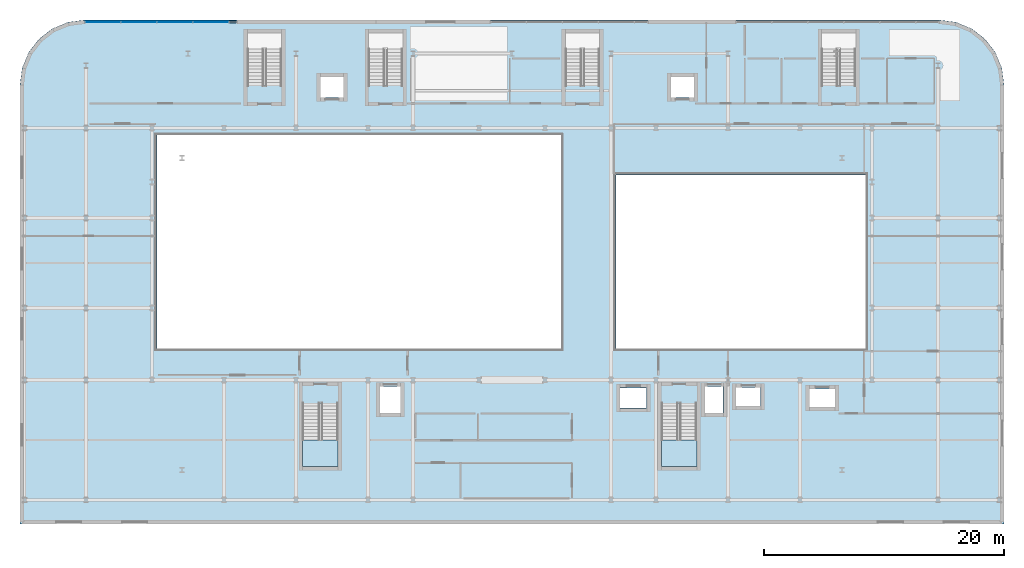
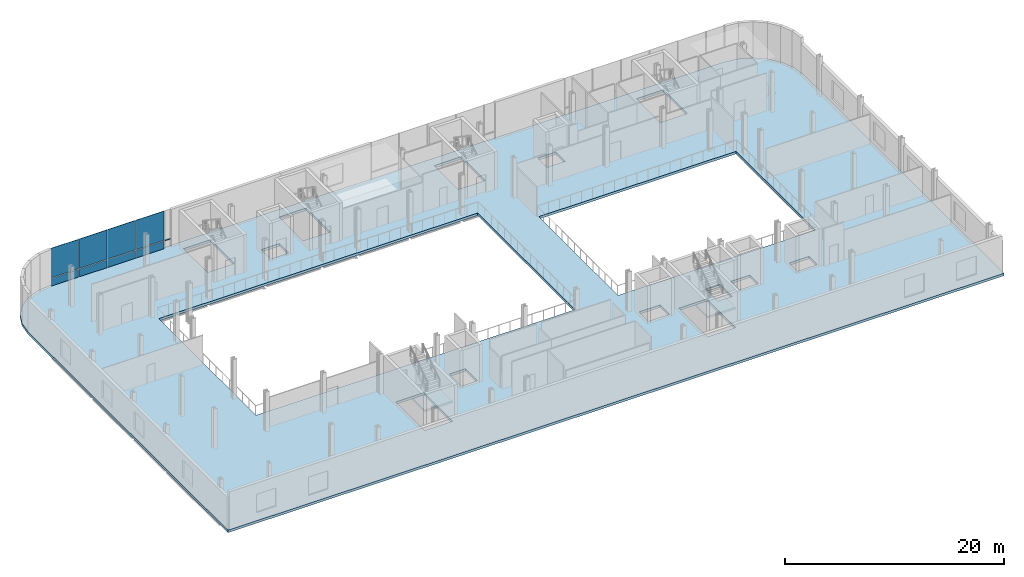
# One storey, part 13 of 25: 8 plates, 3 slabs, 1 member, 3 elements without a shape of their own.
"""IFC4 building model written with IfcOpenShell, lengths in metres."""

from ifc_helpers import new_model, si_unit, direction, frame, origin, origin_2d, place, context, subcontext, project, spatial, polyline, rectangle, hollow_rectangle, outline, extrude, material, layer, layer_set, material_profile, profile_set, type_object, element, aggregate, save


model = new_model("IFC4")

# Units and contexts
model_context = context("Model", 3, precision=1e-05, world=origin(), true_north=direction((0.0, 1.0)))
body_context = subcontext(model_context, "Body", "Model", "MODEL_VIEW")
ifc_project = project(units=[si_unit("LENGTHUNIT", "METRE"), si_unit("AREAUNIT", "SQUARE_METRE"), si_unit("VOLUMEUNIT", "CUBIC_METRE"), si_unit("PLANEANGLEUNIT", "RADIAN"), si_unit("MASSUNIT", "GRAM", prefix="KILO")], contexts=[model_context])

# Site, building, storey
site_placement = place(None, origin())
site = spatial("IfcSite", under=ifc_project, at=site_placement, CompositionType="ELEMENT")
building_placement = place(site_placement, origin())
building = spatial("IfcBuilding", under=site, at=building_placement, Name="Brevholm Reach", CompositionType="ELEMENT")
storey_placement = place(building_placement, frame((0.0, 0.0, 9.0)))
storey = spatial("IfcBuildingStorey", under=building, at=storey_placement, Name="L02", CompositionType="ELEMENT", Elevation=9.0)

# Curtain wall, member, plates
ifc_material_1 = material(Name="Dark Anodised Aluminium 6063-T6 and Solar-Control Glass", Category="aluminium")
ifc_layer_1 = layer(ifc_material_1, 0.1650390625)
ifc_layer_set_1 = layer_set([ifc_layer_1], Name="Dark Anodised Aluminium 6063-T6 and Solar-Control Glass")
curtain_wall_type = type_object("IfcCurtainWallType", Name="CW-03", PredefinedType="NOTDEFINED", material=ifc_layer_set_1)
curtain_wall_placement = place(storey_placement, origin())
curtain_wall = element("IfcCurtainWall", 1, at=curtain_wall_placement, inside=storey, type_object=curtain_wall_type, Name="L02 Curtain Wall CW-03", PredefinedType="NOTDEFINED")
ifc_material_2 = material(Name="Dark Anodised Aluminium 6063-T6", Category="aluminium")
ifc_material_profile = material_profile(ifc_material_2, hollow_rectangle(XDim=0.070068359375, YDim=0.1650390625, WallThickness=0.0048828125, InnerFilletRadius=0.0048828125, OuterFilletRadius=0.010009765625, at=origin_2d()), Name="RHS 165x70x5")
ifc_profile_set = profile_set([ifc_material_profile], Name="Dark Anodised Aluminium 6063-T6")
member_type = type_object("IfcMemberType", Name="CWT-165", PredefinedType="NOTDEFINED", material=ifc_profile_set)
member_placement = place(storey_placement, frame((6.43505859375, 39.830078125, 0.89990234375), z_axis=(1.0, 0.0, 0.0), x_axis=(0.0, 0.0, 1.0)))
member = element("IfcMember", 2, at=member_placement, type_object=member_type, Name="CT-165 Transom 5.1", ObjectType="TRANSOM", PredefinedType="USERDEFINED", context=body_context, shape_type="SweptSolid", body=[
    extrude(hollow_rectangle(XDim=0.070068359375, YDim=0.1650390625, WallThickness=0.0048828125, InnerFilletRadius=0.0048828125, OuterFilletRadius=0.010009765625, at=origin_2d()), origin(), (0.0, 0.0, 1.0), 0.594970703125),
])
ifc_material_3 = material(Name="Triple-Glazed Acoustic School IGU Glass", Category="glass")
ifc_layer_2 = layer(ifc_material_3, 0.0439453125)
ifc_layer_set_2 = layer_set([ifc_layer_2], Name="Triple-Glazed Acoustic School IGU Glass")
plate_type = type_object("IfcPlateType", Name="CWP-ACU-44", PredefinedType="CURTAIN_PANEL", material=ifc_layer_set_2)
plate_1_placement = place(storey_placement, frame((-4.08251953125, 39.830078125, 0.0), z_axis=(0.0, 0.0, 1.0), x_axis=(1.0, 0.0, 0.0)))
plate_1 = element("IfcPlate", 3, at=plate_1_placement, type_object=plate_type, Name="CP-03 Glazing Panel 1.1", PredefinedType="CURTAIN_PANEL", context=body_context, shape_type="SweptSolid", body=[
    extrude(rectangle(XDim=2.89501953125, YDim=0.0439453125, at=origin_2d()), origin(), (0.0, 0.0, 1.0), 0.864990234375),
])
plate_2_placement = place(storey_placement, frame((-4.08251953125, 39.830078125, 0.93505859375), z_axis=(0.0, 0.0, 1.0), x_axis=(1.0, 0.0, 0.0)))
plate_2 = element("IfcPlate", 4, at=plate_2_placement, type_object=plate_type, Name="CP-03 Glazing Panel 1.2", PredefinedType="CURTAIN_PANEL", context=body_context, shape_type="SweptSolid", body=[
    extrude(rectangle(XDim=2.89501953125, YDim=0.0439453125, at=origin_2d()), origin(), (0.0, 0.0, 1.0), 3.284912109375),
])
plate_3_placement = place(storey_placement, frame((-1.10009765625, 39.830078125, 0.0), z_axis=(0.0, 0.0, 1.0), x_axis=(1.0, 0.0, 0.0)))
plate_3 = element("IfcPlate", 5, at=plate_3_placement, type_object=plate_type, Name="CP-03 Glazing Panel 2.1", PredefinedType="CURTAIN_PANEL", context=body_context, shape_type="SweptSolid", body=[
    extrude(rectangle(XDim=2.929931640625, YDim=0.0439453125, at=origin_2d()), origin(), (0.0, 0.0, 1.0), 0.864990234375),
])
plate_4_placement = place(storey_placement, frame((-1.10009765625, 39.830078125, 0.93505859375), z_axis=(0.0, 0.0, 1.0), x_axis=(1.0, 0.0, 0.0)))
plate_4 = element("IfcPlate", 6, at=plate_4_placement, type_object=plate_type, Name="CP-03 Glazing Panel 2.2", PredefinedType="CURTAIN_PANEL", context=body_context, shape_type="SweptSolid", body=[
    extrude(rectangle(XDim=2.929931640625, YDim=0.0439453125, at=origin_2d()), origin(), (0.0, 0.0, 1.0), 3.284912109375),
])
plate_5_placement = place(storey_placement, frame((1.89990234375, 39.830078125, 0.0), z_axis=(0.0, 0.0, 1.0), x_axis=(1.0, 0.0, 0.0)))
plate_5 = element("IfcPlate", 7, at=plate_5_placement, type_object=plate_type, Name="CP-03 Glazing Panel 3.1", PredefinedType="CURTAIN_PANEL", context=body_context, shape_type="SweptSolid", body=[
    extrude(rectangle(XDim=2.929931640625, YDim=0.0439453125, at=origin_2d()), origin(), (0.0, 0.0, 1.0), 0.864990234375),
])
plate_6_placement = place(storey_placement, frame((1.89990234375, 39.830078125, 0.93505859375), z_axis=(0.0, 0.0, 1.0), x_axis=(1.0, 0.0, 0.0)))
plate_6 = element("IfcPlate", 8, at=plate_6_placement, type_object=plate_type, Name="CP-03 Glazing Panel 3.2", PredefinedType="CURTAIN_PANEL", context=body_context, shape_type="SweptSolid", body=[
    extrude(rectangle(XDim=2.929931640625, YDim=0.0439453125, at=origin_2d()), origin(), (0.0, 0.0, 1.0), 3.284912109375),
])
plate_7_placement = place(storey_placement, frame((4.89990234375, 39.830078125, 0.0), z_axis=(0.0, 0.0, 1.0), x_axis=(1.0, 0.0, 0.0)))
plate_7 = element("IfcPlate", 9, at=plate_7_placement, type_object=plate_type, Name="CP-03 Glazing Panel 4.1", PredefinedType="CURTAIN_PANEL", context=body_context, shape_type="SweptSolid", body=[
    extrude(rectangle(XDim=2.929931640625, YDim=0.0439453125, at=origin_2d()), origin(), (0.0, 0.0, 1.0), 0.864990234375),
])
plate_8_placement = place(storey_placement, frame((4.89990234375, 39.830078125, 0.93505859375), z_axis=(0.0, 0.0, 1.0), x_axis=(1.0, 0.0, 0.0)))
plate_8 = element("IfcPlate", 10, at=plate_8_placement, type_object=plate_type, Name="CP-03 Glazing Panel 4.2", PredefinedType="CURTAIN_PANEL", context=body_context, shape_type="SweptSolid", body=[
    extrude(rectangle(XDim=2.929931640625, YDim=0.0439453125, at=origin_2d()), origin(), (0.0, 0.0, 1.0), 3.284912109375),
])
aggregate(curtain_wall, [plate_1, plate_2, plate_3, plate_4, plate_5, plate_6, plate_7, plate_8, member])

# Slab
ifc_material_4 = material(Name="Concrete C40/50", Category="concrete")
ifc_layer_3 = layer(ifc_material_4, 0.280029296875)
ifc_layer_set_3 = layer_set([ifc_layer_3], Name="Concrete C40/50")
slab_type_1 = type_object("IfcSlabType", Name="SLB-FL-280", PredefinedType="FLOOR", material=ifc_layer_set_3)
slab_1_placement = place(storey_placement, frame((0.0, 0.0, -0.280029296875)))
element("IfcSlab", 11, at=slab_1_placement, inside=storey, type_object=slab_type_1, Name="L02 Suspended Floor Slab (main)", PredefinedType="FLOOR", context=body_context, shape_type="SweptSolid", body=[
    extrude(outline(polyline([(-11.0, -2.0), (71.0, -2.0), (71.0, 34.60009765625), (70.81591796875, 35.99755859375), (70.276611328125, 37.300048828125), (69.41845703125, 38.41845703125), (68.300048828125, 39.276611328125), (66.99755859375, 39.81591796875), (65.60009765625, 40.0), (-5.60009765625, 40.0), (-6.99755859375, 39.81591796875), (-8.300048828125, 39.276611328125), (-9.41845703125, 38.41845703125), (-10.276611328125, 37.300048828125), (-10.81591796875, 35.99755859375), (-11.0, 34.60009765625), (-11.0, -2.0)]), holes=[polyline([(0.39990234375, 12.60009765625), (34.10009765625, 12.60009765625), (34.10009765625, 30.39990234375), (0.39990234375, 30.39990234375), (0.39990234375, 12.60009765625)]), polyline([(38.64990234375, 12.60009765625), (59.5, 12.60009765625), (59.5, 27.10009765625), (38.64990234375, 27.10009765625), (38.64990234375, 12.60009765625)]), polyline([(12.550048828125, 2.780029296875), (15.5, 2.780029296875), (15.5, 8.044921875), (12.550048828125, 8.044921875), (12.550048828125, 2.780029296875)]), polyline([(42.449951171875, 2.780029296875), (45.39990234375, 2.780029296875), (45.39990234375, 8.044921875), (42.449951171875, 8.044921875), (42.449951171875, 2.780029296875)]), polyline([(7.949951171875, 34.554931640625), (10.800048828125, 34.554931640625), (10.800048828125, 38.929931640625), (7.949951171875, 38.929931640625), (7.949951171875, 34.554931640625)]), polyline([(18.050048828125, 34.554931640625), (20.89990234375, 34.554931640625), (20.89990234375, 38.929931640625), (18.050048828125, 38.929931640625), (18.050048828125, 34.554931640625)]), polyline([(34.449951171875, 34.554931640625), (37.300048828125, 34.554931640625), (37.300048828125, 38.929931640625), (34.449951171875, 38.929931640625), (34.449951171875, 34.554931640625)]), polyline([(55.800048828125, 34.554931640625), (58.64990234375, 34.554931640625), (58.64990234375, 38.929931640625), (55.800048828125, 38.929931640625), (55.800048828125, 34.554931640625)]), polyline([(19.0, 7.25), (20.699951171875, 7.25), (20.699951171875, 9.449951171875), (19.0, 9.449951171875), (19.0, 7.25)]), polyline([(46.10009765625, 7.25), (47.60009765625, 7.25), (47.60009765625, 9.449951171875), (46.10009765625, 9.449951171875), (46.10009765625, 7.25)]), polyline([(48.675048828125, 7.824951171875), (50.72509765625, 7.824951171875), (50.72509765625, 9.375), (48.675048828125, 9.375), (48.675048828125, 7.824951171875)]), polyline([(54.800048828125, 7.75), (56.89990234375, 7.75), (56.89990234375, 9.25), (54.800048828125, 9.25), (54.800048828125, 7.75)]), polyline([(39.02001953125, 7.64990234375), (41.219970703125, 7.64990234375), (41.219970703125, 9.35009765625), (39.02001953125, 9.35009765625), (39.02001953125, 7.64990234375)]), polyline([(14.050048828125, 33.550048828125), (15.949951171875, 33.550048828125), (15.949951171875, 35.25), (14.050048828125, 35.25), (14.050048828125, 33.550048828125)]), polyline([(43.25, 33.550048828125), (45.14990234375, 33.550048828125), (45.14990234375, 35.25), (43.25, 35.25), (43.25, 33.550048828125)])]), origin(), (0.0, 0.0, 1.0), 0.280029296875),
])

# Stair, slab
ifc_material_5 = material(Name="Precast Concrete C40/50", Category="concrete")
stair_type = type_object("IfcStairType", Name="STR-ESC-1400", PredefinedType="DOUBLE_RETURN_STAIR", material=ifc_material_5)
stair_1_placement = place(storey_placement, origin())
stair_1 = element("IfcStair", 12, at=stair_1_placement, inside=storey, type_object=stair_type, Name="L02 ST-1", PredefinedType="DOUBLE_RETURN_STAIR")
ifc_material_6 = material(Name="Concrete C40/50", Category="concrete")
ifc_layer_4 = layer(ifc_material_6, 0.199951171875)
ifc_layer_set_4 = layer_set([ifc_layer_4], Name="Concrete C40/50")
slab_type_2 = type_object("IfcSlabType", Name="SLB-LND-200", PredefinedType="LANDING", material=ifc_layer_set_4)
slab_2_placement = place(storey_placement, frame((0.0, 0.0, 2.050048828125)))
slab_2 = element("IfcSlab", 13, at=slab_2_placement, type_object=slab_type_2, Name="ST-1 landing 1", PredefinedType="LANDING", context=body_context, shape_type="SweptSolid", body=[
    extrude(outline(polyline([(12.550048828125, 5.02001953125), (12.550048828125, 2.780029296875), (15.5, 2.780029296875), (15.5, 5.02001953125), (12.550048828125, 5.02001953125)])), origin(), (0.0, 0.0, 1.0), 0.199951171875),
])
aggregate(stair_1, [slab_2])

stair_2_placement = place(storey_placement, origin())
stair_2 = element("IfcStair", 14, at=stair_2_placement, inside=storey, type_object=stair_type, Name="L02 ST-2", PredefinedType="DOUBLE_RETURN_STAIR")
slab_3_placement = place(storey_placement, frame((0.0, 0.0, 2.050048828125)))
slab_3 = element("IfcSlab", 15, at=slab_3_placement, type_object=slab_type_2, Name="ST-2 landing 1", PredefinedType="LANDING", context=body_context, shape_type="SweptSolid", body=[
    extrude(outline(polyline([(42.449951171875, 5.02001953125), (42.449951171875, 2.780029296875), (45.39990234375, 2.780029296875), (45.39990234375, 5.02001953125), (42.449951171875, 5.02001953125)])), origin(), (0.0, 0.0, 1.0), 0.199951171875),
])
aggregate(stair_2, [slab_3])

save(model, "model.ifc")
